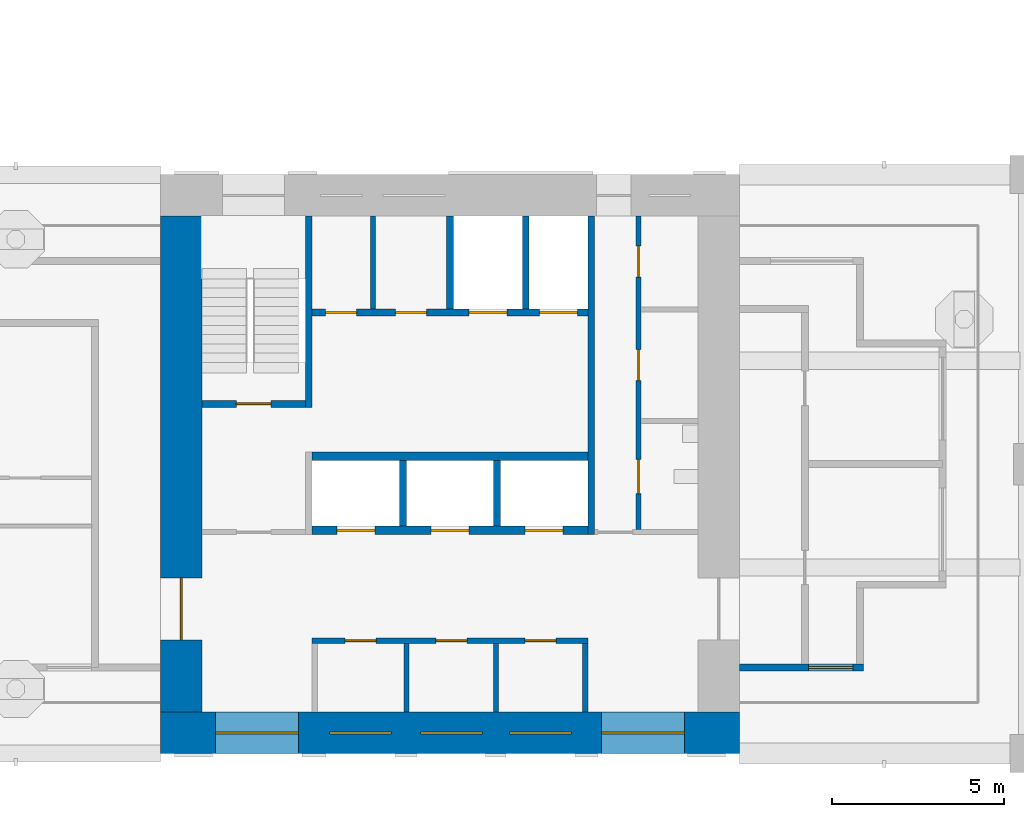
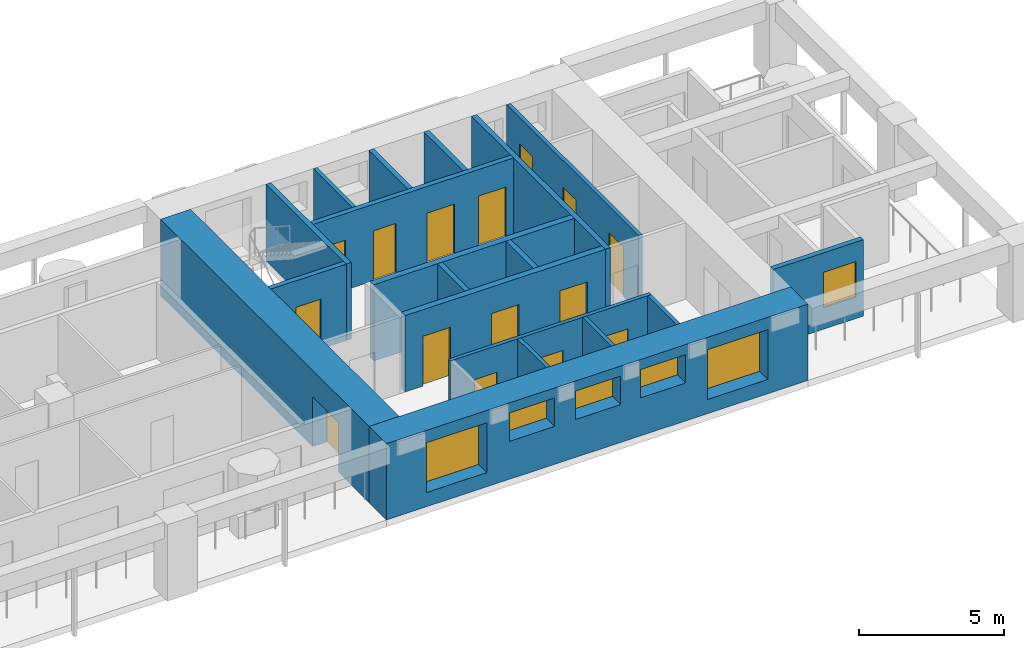
# One storey, part 4 of 13: 19 walls, 15 doors, 6 windows, 21 openings.
"""IFC4 building model written with IfcOpenShell, lengths in metres."""

from ifc_helpers import new_model, si_unit, direction, frame, frame_2d, origin, place, context, subcontext, project, spatial, rectangle, extrude, material, layer, layer_set, type_object, element, fill, save


model = new_model("IFC4")

# Units and contexts
model_context = context("Model", 3, precision=1e-05, world=origin(), true_north=direction((0.0, 1.0)))
body_context = subcontext(model_context, "Body", "Model", "MODEL_VIEW")
ifc_project = project(units=[si_unit("LENGTHUNIT", "METRE"), si_unit("AREAUNIT", "SQUARE_METRE"), si_unit("VOLUMEUNIT", "CUBIC_METRE"), si_unit("PLANEANGLEUNIT", "RADIAN"), si_unit("MASSUNIT", "GRAM", prefix="KILO")], contexts=[model_context])

# Site, building, storey
site_placement = place(None, origin())
site = spatial("IfcSite", under=ifc_project, at=site_placement, CompositionType="ELEMENT")
building_placement = place(site_placement, origin())
building = spatial("IfcBuilding", under=site, at=building_placement, Name="Vermilion Gate Residences", CompositionType="ELEMENT")
storey_placement = place(building_placement, frame((0.0, 0.0, 196.699951171875)))
storey = spatial("IfcBuildingStorey", under=building, at=storey_placement, Name="L51", CompositionType="ELEMENT", Elevation=196.699951171875)

# Walls
ifc_material_1 = material(Name="Masonry blockwork", Category="masonry")
ifc_layer_1 = layer(ifc_material_1, 0.14990234375)
ifc_layer_set_1 = layer_set([ifc_layer_1], Name="BLOCKWORK PARTITION 150 EI 120")
wall_type_1 = type_object("IfcWallType", Name="BLOCKWORK PARTITION 150 EI 120", PredefinedType="PARTITIONING", material=ifc_layer_set_1)
for number, where, z_axis, x_axis, name in (
    (1, (54.324951171875, 9.60009765625, 0.0), (0.0, 0.0, 1.0), (0.0, 1.0, 0.0), "Core room partition A51-RW-E"),
    (2, (49.14111328125, 9.60009765625, 0.0), (0.0, 0.0, 1.0), (0.0, 1.0, 0.0), "Core room partition A51-SR-P0"),
    (3, (51.73291015625, 9.60009765625, 0.0), (0.0, 0.0, 1.0), (0.0, 1.0, 0.0), "Core room partition A51-SR-P1"),
):
    element("IfcWall", number, at=place(storey_placement, frame(where, z_axis=z_axis, x_axis=x_axis)), inside=storey, type_object=wall_type_1, Name=name, PredefinedType="PARTITIONING", context=body_context, shape_type="SweptSolid", body=[
        extrude(rectangle(XDim=2.0, YDim=0.14990234375, at=frame_2d((1.0, 0.0))), origin(), (0.0, 0.0, 1.0), 3.219970703125),
    ])

# Wall, openings, doors
wall_1_placement = place(storey_placement, frame((46.39990234375, 11.675048828125, 0.0), z_axis=(0.0, 0.0, 1.0), x_axis=(1.0, 0.0, 0.0)))
wall_1 = element("IfcWall", 4, at=wall_1_placement, inside=storey, type_object=wall_type_1, Name="Core room partition A51-LR-F", PredefinedType="PARTITIONING", context=body_context, shape_type="SweptSolid", body=[
    extrude(rectangle(XDim=8.0, YDim=0.14990234375, at=frame_2d((4.0, 0.0))), origin(), (0.0, 0.0, 1.0), 3.219970703125),
])
opening_1_placement = place(wall_1_placement, frame((0.9580078125, 0.0, 0.0)))
opening_1 = element("IfcOpeningElement", 5, at=opening_1_placement, cuts=wall_1, Name="Opening DK51003", PredefinedType="OPENING", context=body_context, shape_type="SweptSolid", body=[
    extrude(rectangle(XDim=0.89990234375, YDim=2.10009765625, at=frame_2d((0.449951171875, 1.050048828125))), frame((0.0, 0.0849609375, 0.0), z_axis=(0.0, -1.0, 0.0), x_axis=(1.0, 0.0, 0.0)), (0.0, 0.0, 1.0), 0.169921875),
])
opening_2_placement = place(wall_1_placement, frame((3.5869140625, 0.0, 0.0)))
opening_2 = element("IfcOpeningElement", 6, at=opening_2_placement, cuts=wall_1, Name="Opening DK51004", PredefinedType="OPENING", context=body_context, shape_type="SweptSolid", body=[
    extrude(rectangle(XDim=0.89990234375, YDim=2.10009765625, at=frame_2d((0.449951171875, 1.050048828125))), frame((0.0, 0.0849609375, 0.0), z_axis=(0.0, -1.0, 0.0), x_axis=(1.0, 0.0, 0.0)), (0.0, 0.0, 1.0), 0.169921875),
])
opening_3_placement = place(wall_1_placement, frame((6.178955078125, 0.0, 0.0)))
opening_3 = element("IfcOpeningElement", 7, at=opening_3_placement, cuts=wall_1, Name="Opening DK51005", PredefinedType="OPENING", context=body_context, shape_type="SweptSolid", body=[
    extrude(rectangle(XDim=0.89990234375, YDim=2.10009765625, at=frame_2d((0.449951171875, 1.050048828125))), frame((0.0, 0.0849609375, 0.0), z_axis=(0.0, -1.0, 0.0), x_axis=(1.0, 0.0, 0.0)), (0.0, 0.0, 1.0), 0.169921875),
])
ifc_material_2 = material(Name="Steel", Category="steel")
door_type_1 = type_object("IfcDoorType", Name="SERVICE ROOM DOOR FD60 900 X 2100", OperationType="SINGLE_SWING_LEFT", PredefinedType="DOOR", material=ifc_material_2)
door_1_placement = place(opening_1_placement, origin())
door_1 = element("IfcDoor", 8, at=door_1_placement, inside=storey, type_object=door_type_1, Name="Electrical room A51", OperationType="SINGLE_SWING_LEFT", OverallHeight=2.10009765625, OverallWidth=0.89990234375, PredefinedType="DOOR", context=body_context, shape_type="SweptSolid", body=[
    extrude(rectangle(XDim=0.89990234375, YDim=2.10009765625, at=frame_2d((0.449951171875, 1.050048828125))), frame((0.0, 0.02490234375, 0.0), z_axis=(0.0, -1.0, 0.0), x_axis=(1.0, 0.0, 0.0)), (0.0, 0.0, 1.0), 0.050048828125),
])
fill(opening_1, door_1)
door_2_placement = place(opening_2_placement, frame((0.89990234375, 0.0, 0.0), z_axis=(0.0, 0.0, 1.0), x_axis=(-1.0, 0.0, 0.0)))
door_2 = element("IfcDoor", 9, at=door_2_placement, inside=storey, type_object=door_type_1, Name="Communications room A51", OperationType="SINGLE_SWING_LEFT", OverallHeight=2.10009765625, OverallWidth=0.89990234375, PredefinedType="DOOR", context=body_context, shape_type="SweptSolid", body=[
    extrude(rectangle(XDim=0.89990234375, YDim=2.10009765625, at=frame_2d((0.449951171875, 1.050048828125))), frame((0.0, 0.02490234375, 0.0), z_axis=(0.0, -1.0, 0.0), x_axis=(1.0, 0.0, 0.0)), (0.0, 0.0, 1.0), 0.050048828125),
])
fill(opening_2, door_2)
door_3_placement = place(opening_3_placement, frame((0.89990234375, 0.0, 0.0), z_axis=(0.0, 0.0, 1.0), x_axis=(-1.0, 0.0, 0.0)))
door_3 = element("IfcDoor", 10, at=door_3_placement, inside=storey, type_object=door_type_1, Name="Refuse room A51", OperationType="SINGLE_SWING_RIGHT", OverallHeight=2.10009765625, OverallWidth=0.89990234375, PredefinedType="DOOR", context=body_context, shape_type="SweptSolid", body=[
    extrude(rectangle(XDim=0.89990234375, YDim=2.10009765625, at=frame_2d((0.449951171875, 1.050048828125))), frame((0.0, 0.02490234375, 0.0), z_axis=(0.0, -1.0, 0.0), x_axis=(1.0, 0.0, 0.0)), (0.0, 0.0, 1.0), 0.050048828125),
])
fill(opening_3, door_3)

# Wall
wall_2_placement = place(storey_placement, frame((48.16259765625, 21.300048828125, 0.0), z_axis=(0.0, 0.0, 1.0), x_axis=(0.0, 1.0, 0.0)))
element("IfcWall", 11, at=wall_2_placement, inside=storey, type_object=wall_type_1, Name="Core room partition A51-NR-P0", PredefinedType="PARTITIONING", context=body_context, shape_type="SweptSolid", body=[
    extrude(rectangle(XDim=2.699951171875, YDim=0.14990234375, at=frame_2d((1.35009765625, 0.0))), origin(), (0.0, 0.0, 1.0), 3.219970703125),
])

# Wall, openings, doors
wall_3_placement = place(storey_placement, frame((55.875, 14.89990234375, 0.0), z_axis=(0.0, 0.0, 1.0), x_axis=(0.0, 1.0, 0.0)))
wall_3 = element("IfcWall", 12, at=wall_3_placement, inside=storey, type_object=wall_type_1, Name="Core room partition A51-ES-W", PredefinedType="PARTITIONING", context=body_context, shape_type="SweptSolid", body=[
    extrude(rectangle(XDim=9.10009765625, YDim=0.14990234375, at=frame_2d((4.550048828125, 0.0))), origin(), (0.0, 0.0, 1.0), 3.219970703125),
])
opening_4_placement = place(wall_3_placement, frame((1.0400390625, 0.0, 0.0)))
opening_4 = element("IfcOpeningElement", 13, at=opening_4_placement, cuts=wall_3, Name="Opening DK51016", PredefinedType="OPENING", context=body_context, shape_type="SweptSolid", body=[
    extrude(rectangle(XDim=1.0, YDim=2.10009765625, at=frame_2d((0.5, 1.050048828125))), frame((0.0, 0.0849609375, 0.0), z_axis=(0.0, -1.0, 0.0), x_axis=(1.0, 0.0, 0.0)), (0.0, 0.0, 1.0), 0.169921875),
])
opening_5_placement = place(wall_3_placement, frame((4.320068359375, 0.0, 0.0)))
opening_5 = element("IfcOpeningElement", 14, at=opening_5_placement, cuts=wall_3, Name="Opening DK51017", PredefinedType="OPENING", context=body_context, shape_type="SweptSolid", body=[
    extrude(rectangle(XDim=0.89990234375, YDim=2.10009765625, at=frame_2d((0.449951171875, 1.050048828125))), frame((0.0, 0.0849609375, 0.0), z_axis=(0.0, -1.0, 0.0), x_axis=(1.0, 0.0, 0.0)), (0.0, 0.0, 1.0), 0.169921875),
])
opening_6_placement = place(wall_3_placement, frame((7.330078125, 0.0, 0.0)))
opening_6 = element("IfcOpeningElement", 15, at=opening_6_placement, cuts=wall_3, Name="Opening DK51018", PredefinedType="OPENING", context=body_context, shape_type="SweptSolid", body=[
    extrude(rectangle(XDim=0.89990234375, YDim=2.10009765625, at=frame_2d((0.449951171875, 1.050048828125))), frame((0.0, 0.0849609375, 0.0), z_axis=(0.0, -1.0, 0.0), x_axis=(1.0, 0.0, 0.0)), (0.0, 0.0, 1.0), 0.169921875),
])
ifc_material_3 = material(Name="Steel", Category="steel")
door_type_2 = type_object("IfcDoorType", Name="FIRE DOOR FD60 1000 X 2100", OperationType="SINGLE_SWING_LEFT", PredefinedType="DOOR", material=ifc_material_3)
door_4_placement = place(opening_4_placement, frame((1.0, 0.0, 0.0), z_axis=(0.0, 0.0, 1.0), x_axis=(-1.0, 0.0, 0.0)))
door_4 = element("IfcDoor", 16, at=door_4_placement, inside=storey, type_object=door_type_2, Name="Accessible WC A51", OperationType="SINGLE_SWING_LEFT", OverallHeight=2.10009765625, OverallWidth=1.0, PredefinedType="DOOR", context=body_context, shape_type="SweptSolid", body=[
    extrude(rectangle(XDim=1.0, YDim=2.10009765625, at=frame_2d((0.5, 1.050048828125))), frame((0.0, 0.02490234375, 0.0), z_axis=(0.0, -1.0, 0.0), x_axis=(1.0, 0.0, 0.0)), (0.0, 0.0, 1.0), 0.050048828125),
])
fill(opening_4, door_4)
door_5_placement = place(opening_5_placement, frame((0.89990234375, 0.0, 0.0), z_axis=(0.0, 0.0, 1.0), x_axis=(-1.0, 0.0, 0.0)))
door_5 = element("IfcDoor", 17, at=door_5_placement, inside=storey, type_object=door_type_1, Name="Refuse room A51", OperationType="SINGLE_SWING_RIGHT", OverallHeight=2.10009765625, OverallWidth=0.89990234375, PredefinedType="DOOR", context=body_context, shape_type="SweptSolid", body=[
    extrude(rectangle(XDim=0.89990234375, YDim=2.10009765625, at=frame_2d((0.449951171875, 1.050048828125))), frame((0.0, 0.02490234375, 0.0), z_axis=(0.0, -1.0, 0.0), x_axis=(1.0, 0.0, 0.0)), (0.0, 0.0, 1.0), 0.050048828125),
])
fill(opening_5, door_5)
door_6_placement = place(opening_6_placement, frame((0.89990234375, 0.0, 0.0), z_axis=(0.0, 0.0, 1.0), x_axis=(-1.0, 0.0, 0.0)))
door_6 = element("IfcDoor", 18, at=door_6_placement, inside=storey, type_object=door_type_1, Name="Parcel room A51", OperationType="SINGLE_SWING_LEFT", OverallHeight=2.10009765625, OverallWidth=0.89990234375, PredefinedType="DOOR", context=body_context, shape_type="SweptSolid", body=[
    extrude(rectangle(XDim=0.89990234375, YDim=2.10009765625, at=frame_2d((0.449951171875, 1.050048828125))), frame((0.0, 0.02490234375, 0.0), z_axis=(0.0, -1.0, 0.0), x_axis=(1.0, 0.0, 0.0)), (0.0, 0.0, 1.0), 0.050048828125),
])
fill(opening_6, door_6)

# Wall, opening, window
ifc_material_4 = material(Name="Insulated steel stud wall with terracotta rainscreen", Category="masonry")
ifc_layer_2 = layer(ifc_material_4, 0.199951171875)
ifc_layer_set_2 = layer_set([ifc_layer_2], Name="EXTERNAL WALL 200 TERRACOTTA RAINSCREEN")
wall_type_2 = type_object("IfcWallType", Name="EXTERNAL WALL 200 TERRACOTTA RAINSCREEN", PredefinedType="SOLIDWALL", material=ifc_layer_set_2)
wall_4_placement = place(storey_placement, frame((58.800048828125, 10.89990234375, 0.0), z_axis=(0.0, 0.0, 1.0), x_axis=(1.0, 0.0, 0.0)))
wall_4 = element("IfcWall", 19, at=wall_4_placement, inside=storey, type_object=wall_type_2, Name="External wall", PredefinedType="SOLIDWALL", context=body_context, shape_type="SweptSolid", body=[
    extrude(rectangle(XDim=3.599853515625, YDim=0.199951171875, at=frame_2d((1.7998046875, 0.0))), origin(), (0.0, 0.0, 1.0), 3.219970703125),
])
opening_7_placement = place(wall_4_placement, frame((2.0, 0.0, 0.89990234375)))
opening_7 = element("IfcOpeningElement", 20, at=opening_7_placement, cuts=wall_4, Name="Opening WE51015", PredefinedType="OPENING", context=body_context, shape_type="SweptSolid", body=[
    extrude(rectangle(XDim=1.300048828125, YDim=1.5, at=frame_2d((0.64990234375, 0.75))), frame((0.0, 0.10986328125, 0.0), z_axis=(0.0, -1.0, 0.0), x_axis=(1.0, 0.0, 0.0)), (0.0, 0.0, 1.0), 0.219970703125),
])
ifc_material_5 = material(Name="Aluminium and clear glass", Category="aluminium")
window_type_1 = type_object("IfcWindowType", Name="WINDOW 1300 X 1500", PartitioningType="SINGLE_PANEL", PredefinedType="WINDOW", material=ifc_material_5)
window_1_placement = place(opening_7_placement, origin())
window_1 = element("IfcWindow", 21, at=window_1_placement, inside=storey, type_object=window_type_1, Name="Window", OverallHeight=1.5, OverallWidth=1.300048828125, PartitioningType="SINGLE_PANEL", PredefinedType="WINDOW", context=body_context, shape_type="SweptSolid", body=[
    extrude(rectangle(XDim=1.300048828125, YDim=1.5, at=frame_2d((0.64990234375, 0.75))), frame((0.0, 0.030029296875, 0.0), z_axis=(0.0, -1.0, 0.0), x_axis=(1.0, 0.0, 0.0)), (0.0, 0.0, 1.0), 0.06005859375),
])
fill(opening_7, window_1)

# Walls
ifc_material_6 = material(Name="Concrete C60", Category="concrete")
ifc_layer_3 = layer(ifc_material_6, 0.199951171875)
ifc_layer_set_3 = layer_set([ifc_layer_3], Name="RC CORE INTERNAL WALL 200 C60")
wall_type_3 = type_object("IfcWallType", Name="RC CORE INTERNAL WALL 200 C60", PredefinedType="SHEAR", material=ifc_layer_set_3)
for number, where, z_axis, x_axis, name in (
    (22, (49.033447265625, 15.0, 0.0), (0.0, 0.0, 1.0), (0.0, 1.0, 0.0), "Core internal wall A51-HR-D1"),
    (23, (51.7666015625, 15.0, 0.0), (0.0, 0.0, 1.0), (0.0, 1.0, 0.0), "Core internal wall A51-HR-D2"),
):
    element("IfcWall", number, at=place(storey_placement, frame(where, z_axis=z_axis, x_axis=x_axis)), inside=storey, type_object=wall_type_3, Name=name, PredefinedType="SHEAR", context=body_context, shape_type="SweptSolid", body=[
        extrude(rectangle(XDim=1.89990234375, YDim=0.199951171875, at=frame_2d((0.949951171875, 0.0))), origin(), (0.0, 0.0, 1.0), 3.219970703125),
    ])
for number, where, z_axis, x_axis, name in (
    (24, (50.39990234375, 21.300048828125, 0.0), (0.0, 0.0, 1.0), (0.0, 1.0, 0.0), "Core internal wall A51-FF-D0"),
    (25, (52.60009765625, 21.300048828125, 0.0), (0.0, 0.0, 1.0), (0.0, 1.0, 0.0), "Core internal wall A51-FF-D1"),
):
    element("IfcWall", number, at=place(storey_placement, frame(where, z_axis=z_axis, x_axis=x_axis)), inside=storey, type_object=wall_type_3, Name=name, PredefinedType="SHEAR", context=body_context, shape_type="SweptSolid", body=[
        extrude(rectangle(XDim=2.699951171875, YDim=0.199951171875, at=frame_2d((1.35009765625, 0.0))), origin(), (0.0, 0.0, 1.0), 3.219970703125),
    ])

# Wall, openings, doors
wall_5_placement = place(storey_placement, frame((46.39990234375, 21.199951171875, 0.0), z_axis=(0.0, 0.0, 1.0), x_axis=(1.0, 0.0, 0.0)))
wall_5 = element("IfcWall", 26, at=wall_5_placement, inside=storey, type_object=wall_type_3, Name="Core internal wall A51-FF-F", PredefinedType="SHEAR", context=body_context, shape_type="SweptSolid", body=[
    extrude(rectangle(XDim=8.0, YDim=0.199951171875, at=frame_2d((4.0, 0.0))), origin(), (0.0, 0.0, 1.0), 3.219970703125),
])
opening_8_placement = place(wall_5_placement, frame((0.393798828125, 0.0, 0.0)))
opening_8 = element("IfcOpeningElement", 27, at=opening_8_placement, cuts=wall_5, Name="Opening DK51009", PredefinedType="OPENING", context=body_context, shape_type="SweptSolid", body=[
    extrude(rectangle(XDim=0.89990234375, YDim=2.10009765625, at=frame_2d((0.449951171875, 1.050048828125))), frame((0.0, 0.10986328125, 0.0), z_axis=(0.0, -1.0, 0.0), x_axis=(1.0, 0.0, 0.0)), (0.0, 0.0, 1.0), 0.219970703125),
])
opening_9_placement = place(wall_5_placement, frame((2.418701171875, 0.0, 0.0)))
opening_9 = element("IfcOpeningElement", 28, at=opening_9_placement, cuts=wall_5, Name="Opening DK51010", PredefinedType="OPENING", context=body_context, shape_type="SweptSolid", body=[
    extrude(rectangle(XDim=0.89990234375, YDim=2.10009765625, at=frame_2d((0.449951171875, 1.050048828125))), frame((0.0, 0.10986328125, 0.0), z_axis=(0.0, -1.0, 0.0), x_axis=(1.0, 0.0, 0.0)), (0.0, 0.0, 1.0), 0.219970703125),
])
opening_10_placement = place(wall_5_placement, frame((4.550048828125, 0.0, 0.0)))
opening_10 = element("IfcOpeningElement", 29, at=opening_10_placement, cuts=wall_5, Name="Opening LD", PredefinedType="OPENING", context=body_context, shape_type="SweptSolid", body=[
    extrude(rectangle(XDim=1.10009765625, YDim=2.10009765625, at=frame_2d((0.550048828125, 1.050048828125))), frame((0.0, 0.10986328125, 0.0), z_axis=(0.0, -1.0, 0.0), x_axis=(1.0, 0.0, 0.0)), (0.0, 0.0, 1.0), 0.219970703125),
])
opening_11_placement = place(wall_5_placement, frame((6.60009765625, 0.0, 0.0)))
opening_11 = element("IfcOpeningElement", 30, at=opening_11_placement, cuts=wall_5, Name="Opening LD", PredefinedType="OPENING", context=body_context, shape_type="SweptSolid", body=[
    extrude(rectangle(XDim=1.10009765625, YDim=2.10009765625, at=frame_2d((0.550048828125, 1.050048828125))), frame((0.0, 0.10986328125, 0.0), z_axis=(0.0, -1.0, 0.0), x_axis=(1.0, 0.0, 0.0)), (0.0, 0.0, 1.0), 0.219970703125),
])
ifc_material_7 = material(Name="Stainless steel", Category="steel")
door_type_3 = type_object("IfcDoorType", Name="LIFT LANDING DOOR E60 1100 X 2100", OperationType="DOUBLE_DOOR_SLIDING", PredefinedType="DOOR", material=ifc_material_7)
door_7_placement = place(opening_10_placement, origin())
door_7 = element("IfcDoor", 31, at=door_7_placement, inside=storey, type_object=door_type_3, Name="Lift landing door LFA1", OperationType="DOUBLE_DOOR_SLIDING", OverallHeight=2.10009765625, OverallWidth=1.10009765625, PredefinedType="DOOR", context=body_context, shape_type="SweptSolid", body=[
    extrude(rectangle(XDim=1.10009765625, YDim=2.10009765625, at=frame_2d((0.550048828125, 1.050048828125))), frame((0.0, 0.02490234375, 0.0), z_axis=(0.0, -1.0, 0.0), x_axis=(1.0, 0.0, 0.0)), (0.0, 0.0, 1.0), 0.050048828125),
])
fill(opening_10, door_7)
door_8_placement = place(opening_11_placement, origin())
door_8 = element("IfcDoor", 32, at=door_8_placement, inside=storey, type_object=door_type_3, Name="Lift landing door LCA1", OperationType="DOUBLE_DOOR_SLIDING", OverallHeight=2.10009765625, OverallWidth=1.10009765625, PredefinedType="DOOR", context=body_context, shape_type="SweptSolid", body=[
    extrude(rectangle(XDim=1.10009765625, YDim=2.10009765625, at=frame_2d((0.550048828125, 1.050048828125))), frame((0.0, 0.02490234375, 0.0), z_axis=(0.0, -1.0, 0.0), x_axis=(1.0, 0.0, 0.0)), (0.0, 0.0, 1.0), 0.050048828125),
])
fill(opening_11, door_8)
door_9_placement = place(opening_8_placement, origin())
door_9 = element("IfcDoor", 33, at=door_9_placement, inside=storey, type_object=door_type_1, Name="Electrical riser A51", OperationType="SINGLE_SWING_LEFT", OverallHeight=2.10009765625, OverallWidth=0.89990234375, PredefinedType="DOOR", context=body_context, shape_type="SweptSolid", body=[
    extrude(rectangle(XDim=0.89990234375, YDim=2.10009765625, at=frame_2d((0.449951171875, 1.050048828125))), frame((0.0, 0.02490234375, 0.0), z_axis=(0.0, -1.0, 0.0), x_axis=(1.0, 0.0, 0.0)), (0.0, 0.0, 1.0), 0.050048828125),
])
fill(opening_8, door_9)
door_10_placement = place(opening_9_placement, origin())
door_10 = element("IfcDoor", 34, at=door_10_placement, inside=storey, type_object=door_type_1, Name="Cleaner's store A51", OperationType="SINGLE_SWING_LEFT", OverallHeight=2.10009765625, OverallWidth=0.89990234375, PredefinedType="DOOR", context=body_context, shape_type="SweptSolid", body=[
    extrude(rectangle(XDim=0.89990234375, YDim=2.10009765625, at=frame_2d((0.449951171875, 1.050048828125))), frame((0.0, 0.02490234375, 0.0), z_axis=(0.0, -1.0, 0.0), x_axis=(1.0, 0.0, 0.0)), (0.0, 0.0, 1.0), 0.050048828125),
])
fill(opening_9, door_10)

# Wall
wall_6_placement = place(storey_placement, frame((46.300048828125, 18.449951171875, 0.0), z_axis=(0.0, 0.0, 1.0), x_axis=(0.0, 1.0, 0.0)))
element("IfcWall", 35, at=wall_6_placement, inside=storey, type_object=wall_type_3, Name="Core internal wall A51-WDIV2", PredefinedType="SHEAR", context=body_context, shape_type="SweptSolid", body=[
    extrude(rectangle(XDim=5.550048828125, YDim=0.199951171875, at=frame_2d((2.77490234375, 0.0))), origin(), (0.0, 0.0, 1.0), 3.219970703125),
])

# Wall, opening, door
wall_7_placement = place(storey_placement, frame((43.199951171875, 18.550048828125, 0.0), z_axis=(0.0, 0.0, 1.0), x_axis=(1.0, 0.0, 0.0)))
wall_7 = element("IfcWall", 36, at=wall_7_placement, inside=storey, type_object=wall_type_3, Name="Core internal wall A51-STW-S", PredefinedType="SHEAR", context=body_context, shape_type="SweptSolid", body=[
    extrude(rectangle(XDim=3.0, YDim=0.199951171875, at=frame_2d((1.5, 0.0))), origin(), (0.0, 0.0, 1.0), 3.219970703125),
])
opening_12_placement = place(wall_7_placement, frame((1.0, 0.0, 0.0)))
opening_12 = element("IfcOpeningElement", 37, at=opening_12_placement, cuts=wall_7, Name="Opening DK51014", PredefinedType="OPENING", context=body_context, shape_type="SweptSolid", body=[
    extrude(rectangle(XDim=1.0, YDim=2.10009765625, at=frame_2d((0.5, 1.050048828125))), frame((0.0, 0.10986328125, 0.0), z_axis=(0.0, -1.0, 0.0), x_axis=(1.0, 0.0, 0.0)), (0.0, 0.0, 1.0), 0.219970703125),
])
door_11_placement = place(opening_12_placement, origin())
door_11 = element("IfcDoor", 38, at=door_11_placement, inside=storey, type_object=door_type_2, Name="Stair door A51", OperationType="SINGLE_SWING_LEFT", OverallHeight=2.10009765625, OverallWidth=1.0, PredefinedType="DOOR", context=body_context, shape_type="SweptSolid", body=[
    extrude(rectangle(XDim=1.0, YDim=2.10009765625, at=frame_2d((0.5, 1.050048828125))), frame((0.0, 0.02490234375, 0.0), z_axis=(0.0, -1.0, 0.0), x_axis=(1.0, 0.0, 0.0)), (0.0, 0.0, 1.0), 0.050048828125),
])
fill(opening_12, door_11)

# Wall
wall_8_placement = place(storey_placement, frame((54.5, 14.75, 0.0), z_axis=(0.0, 0.0, 1.0), x_axis=(0.0, 1.0, 0.0)))
element("IfcWall", 39, at=wall_8_placement, inside=storey, type_object=wall_type_3, Name="Core internal wall A51-EDIV", PredefinedType="SHEAR", context=body_context, shape_type="SweptSolid", body=[
    extrude(rectangle(XDim=9.25, YDim=0.199951171875, at=frame_2d((4.625, 0.0))), origin(), (0.0, 0.0, 1.0), 3.219970703125),
])

# Wall, opening, door
ifc_material_8 = material(Name="Concrete C60", Category="concrete")
ifc_layer_4 = layer(ifc_material_8, 1.199951171875)
ifc_layer_set_4 = layer_set([ifc_layer_4], Name="RC CORE WALL 1200 C60")
wall_type_4 = type_object("IfcWallType", Name="RC CORE WALL 1200 C60", PredefinedType="SHEAR", material=ifc_layer_set_4)
wall_9_placement = place(storey_placement, frame((42.60009765625, 9.60009765625, 0.0), z_axis=(0.0, 0.0, 1.0), x_axis=(0.0, 1.0, 0.0)))
wall_9 = element("IfcWall", 40, at=wall_9_placement, inside=storey, type_object=wall_type_4, Name="Core wall A51-OUT-FR", PredefinedType="SHEAR", context=body_context, shape_type="SweptSolid", body=[
    extrude(rectangle(XDim=14.39990234375, YDim=1.199951171875, at=frame_2d((7.199951171875, 0.0))), origin(), (0.0, 0.0, 1.0), 3.219970703125),
])
opening_13_placement = place(wall_9_placement, frame((2.10009765625, 0.0, 0.0)))
opening_13 = element("IfcOpeningElement", 41, at=opening_13_placement, cuts=wall_9, Name="Opening DK51001", PredefinedType="OPENING", context=body_context, shape_type="SweptSolid", body=[
    extrude(rectangle(XDim=1.800048828125, YDim=2.10009765625, at=frame_2d((0.89990234375, 1.050048828125))), frame((0.0, 0.60986328125, 0.0), z_axis=(0.0, -1.0, 0.0), x_axis=(1.0, 0.0, 0.0)), (0.0, 0.0, 1.0), 1.219970703125),
])
ifc_material_9 = material(Name="Steel", Category="steel")
door_type_4 = type_object("IfcDoorType", Name="CORE LOBBY DOOR FD60 1800 X 2100", OperationType="DOUBLE_DOOR_SINGLE_SWING", PredefinedType="DOOR", material=ifc_material_9)
door_12_placement = place(opening_13_placement, frame((1.800048828125, 0.0, 0.0), z_axis=(0.0, 0.0, 1.0), x_axis=(-1.0, 0.0, 0.0)))
door_12 = element("IfcDoor", 42, at=door_12_placement, inside=storey, type_object=door_type_4, Name="Core lobby door A51", OperationType="DOUBLE_DOOR_SINGLE_SWING", OverallHeight=2.10009765625, OverallWidth=1.800048828125, PredefinedType="DOOR", context=body_context, shape_type="SweptSolid", body=[
    extrude(rectangle(XDim=1.800048828125, YDim=2.10009765625, at=frame_2d((0.89990234375, 1.050048828125))), frame((0.0, 0.02490234375, 0.0), z_axis=(0.0, -1.0, 0.0), x_axis=(1.0, 0.0, 0.0)), (0.0, 0.0, 1.0), 0.050048828125),
])
fill(opening_13, door_12)

# Wall, openings, windows
ifc_material_10 = material(Name="Concrete C60 red-oxide pigmented", Category="concrete")
ifc_layer_5 = layer(ifc_material_10, 1.199951171875)
ifc_layer_set_5 = layer_set([ifc_layer_5], Name="RC CORE WALL 1200 C60 RED OXIDE")
wall_type_5 = type_object("IfcWallType", Name="RC CORE WALL 1200 C60 RED OXIDE", PredefinedType="SHEAR", material=ifc_layer_set_5)
wall_10_placement = place(storey_placement, frame((42.0, 9.0, 0.0), z_axis=(0.0, 0.0, 1.0), x_axis=(1.0, 0.0, 0.0)))
wall_10 = element("IfcWall", 43, at=wall_10_placement, inside=storey, type_object=wall_type_5, Name="Core wall A51-OUT-B0", PredefinedType="SHEAR", context=body_context, shape_type="SweptSolid", body=[
    extrude(rectangle(XDim=16.800048828125, YDim=1.199951171875, at=frame_2d((8.39990234375, 0.0))), origin(), (0.0, 0.0, 1.0), 3.219970703125),
])
opening_14_placement = place(wall_10_placement, frame((1.60009765625, 0.0, 0.60009765625)))
opening_14 = element("IfcOpeningElement", 44, at=opening_14_placement, cuts=wall_10, Name="Opening WKA5101", PredefinedType="OPENING", context=body_context, shape_type="SweptSolid", body=[
    extrude(rectangle(XDim=2.39990234375, YDim=2.10009765625, at=frame_2d((1.199951171875, 1.050048828125))), frame((0.0, 0.60986328125, 0.0), z_axis=(0.0, -1.0, 0.0), x_axis=(1.0, 0.0, 0.0)), (0.0, 0.0, 1.0), 1.219970703125),
])
opening_15_placement = place(wall_10_placement, frame((4.907958984375, 0.0, 1.60009765625)))
opening_15 = element("IfcOpeningElement", 45, at=opening_15_placement, cuts=wall_10, Name="Opening WKA5102", PredefinedType="OPENING", context=body_context, shape_type="SweptSolid", body=[
    extrude(rectangle(XDim=1.800048828125, YDim=1.199951171875, at=frame_2d((0.89990234375, 0.60009765625))), frame((0.0, 0.60986328125, 0.0), z_axis=(0.0, -1.0, 0.0), x_axis=(1.0, 0.0, 0.0)), (0.0, 0.0, 1.0), 1.219970703125),
])
opening_16_placement = place(wall_10_placement, frame((7.537109375, 0.0, 1.60009765625)))
opening_16 = element("IfcOpeningElement", 46, at=opening_16_placement, cuts=wall_10, Name="Opening WKA5103", PredefinedType="OPENING", context=body_context, shape_type="SweptSolid", body=[
    extrude(rectangle(XDim=1.800048828125, YDim=1.199951171875, at=frame_2d((0.89990234375, 0.60009765625))), frame((0.0, 0.60986328125, 0.0), z_axis=(0.0, -1.0, 0.0), x_axis=(1.0, 0.0, 0.0)), (0.0, 0.0, 1.0), 1.219970703125),
])
opening_17_placement = place(wall_10_placement, frame((10.12890625, 0.0, 1.60009765625)))
opening_17 = element("IfcOpeningElement", 47, at=opening_17_placement, cuts=wall_10, Name="Opening WKA5104", PredefinedType="OPENING", context=body_context, shape_type="SweptSolid", body=[
    extrude(rectangle(XDim=1.800048828125, YDim=1.199951171875, at=frame_2d((0.89990234375, 0.60009765625))), frame((0.0, 0.60986328125, 0.0), z_axis=(0.0, -1.0, 0.0), x_axis=(1.0, 0.0, 0.0)), (0.0, 0.0, 1.0), 1.219970703125),
])
opening_18_placement = place(wall_10_placement, frame((12.800048828125, 0.0, 0.60009765625)))
opening_18 = element("IfcOpeningElement", 48, at=opening_18_placement, cuts=wall_10, Name="Opening WKA5105", PredefinedType="OPENING", context=body_context, shape_type="SweptSolid", body=[
    extrude(rectangle(XDim=2.39990234375, YDim=2.10009765625, at=frame_2d((1.199951171875, 1.050048828125))), frame((0.0, 0.60986328125, 0.0), z_axis=(0.0, -1.0, 0.0), x_axis=(1.0, 0.0, 0.0)), (0.0, 0.0, 1.0), 1.219970703125),
])
ifc_material_11 = material(Name="Aluminium and clear glass", Category="aluminium")
window_type_2 = type_object("IfcWindowType", Name="CORE LOBBY WINDOW 2400 X 2100", PartitioningType="SINGLE_PANEL", PredefinedType="WINDOW", material=ifc_material_11)
window_2_placement = place(opening_14_placement, origin())
window_2 = element("IfcWindow", 49, at=window_2_placement, inside=storey, type_object=window_type_2, Name="Core lobby window", OverallHeight=2.10009765625, OverallWidth=2.39990234375, PartitioningType="SINGLE_PANEL", PredefinedType="WINDOW", context=body_context, shape_type="SweptSolid", body=[
    extrude(rectangle(XDim=2.39990234375, YDim=2.10009765625, at=frame_2d((1.199951171875, 1.050048828125))), frame((0.0, 0.030029296875, 0.0), z_axis=(0.0, -1.0, 0.0), x_axis=(1.0, 0.0, 0.0)), (0.0, 0.0, 1.0), 0.06005859375),
])
fill(opening_14, window_2)
window_3_placement = place(opening_18_placement, origin())
window_3 = element("IfcWindow", 50, at=window_3_placement, inside=storey, type_object=window_type_2, Name="Core lobby window", OverallHeight=2.10009765625, OverallWidth=2.39990234375, PartitioningType="SINGLE_PANEL", PredefinedType="WINDOW", context=body_context, shape_type="SweptSolid", body=[
    extrude(rectangle(XDim=2.39990234375, YDim=2.10009765625, at=frame_2d((1.199951171875, 1.050048828125))), frame((0.0, 0.030029296875, 0.0), z_axis=(0.0, -1.0, 0.0), x_axis=(1.0, 0.0, 0.0)), (0.0, 0.0, 1.0), 0.06005859375),
])
fill(opening_18, window_3)
ifc_material_12 = material(Name="Aluminium frame with louvre blades", Category="aluminium")
window_type_3 = type_object("IfcWindowType", Name="CORE LOUVRE 1800 X 1200", PartitioningType="SINGLE_PANEL", PredefinedType="WINDOW", material=ifc_material_12)
window_4_placement = place(opening_15_placement, origin())
window_4 = element("IfcWindow", 51, at=window_4_placement, inside=storey, type_object=window_type_3, Name="Core louvre", OverallHeight=1.199951171875, OverallWidth=1.800048828125, PartitioningType="SINGLE_PANEL", PredefinedType="WINDOW", context=body_context, shape_type="SweptSolid", body=[
    extrude(rectangle(XDim=1.800048828125, YDim=1.199951171875, at=frame_2d((0.89990234375, 0.60009765625))), frame((0.0, 0.030029296875, 0.0), z_axis=(0.0, -1.0, 0.0), x_axis=(1.0, 0.0, 0.0)), (0.0, 0.0, 1.0), 0.06005859375),
])
fill(opening_15, window_4)
window_5_placement = place(opening_16_placement, origin())
window_5 = element("IfcWindow", 52, at=window_5_placement, inside=storey, type_object=window_type_3, Name="Core louvre", OverallHeight=1.199951171875, OverallWidth=1.800048828125, PartitioningType="SINGLE_PANEL", PredefinedType="WINDOW", context=body_context, shape_type="SweptSolid", body=[
    extrude(rectangle(XDim=1.800048828125, YDim=1.199951171875, at=frame_2d((0.89990234375, 0.60009765625))), frame((0.0, 0.030029296875, 0.0), z_axis=(0.0, -1.0, 0.0), x_axis=(1.0, 0.0, 0.0)), (0.0, 0.0, 1.0), 0.06005859375),
])
fill(opening_16, window_5)
window_6_placement = place(opening_17_placement, origin())
window_6 = element("IfcWindow", 53, at=window_6_placement, inside=storey, type_object=window_type_3, Name="Core louvre", OverallHeight=1.199951171875, OverallWidth=1.800048828125, PartitioningType="SINGLE_PANEL", PredefinedType="WINDOW", context=body_context, shape_type="SweptSolid", body=[
    extrude(rectangle(XDim=1.800048828125, YDim=1.199951171875, at=frame_2d((0.89990234375, 0.60009765625))), frame((0.0, 0.030029296875, 0.0), z_axis=(0.0, -1.0, 0.0), x_axis=(1.0, 0.0, 0.0)), (0.0, 0.0, 1.0), 0.06005859375),
])
fill(opening_17, window_6)

# Wall, openings, doors
ifc_material_13 = material(Name="Concrete C60", Category="concrete")
ifc_layer_6 = layer(ifc_material_13, 0.25)
ifc_layer_set_6 = layer_set([ifc_layer_6], Name="RC LIFT SHAFT WALL 250 C60")
wall_type_6 = type_object("IfcWallType", Name="RC LIFT SHAFT WALL 250 C60", PredefinedType="SHEAR", material=ifc_layer_set_6)
wall_11_placement = place(storey_placement, frame((46.39990234375, 14.875, 0.0), z_axis=(0.0, 0.0, 1.0), x_axis=(1.0, 0.0, 0.0)))
wall_11 = element("IfcWall", 54, at=wall_11_placement, inside=storey, type_object=wall_type_6, Name="Lift shaft wall A51-HR-F", PredefinedType="SHEAR", context=body_context, shape_type="SweptSolid", body=[
    extrude(rectangle(XDim=8.0, YDim=0.25, at=frame_2d((4.0, 0.0))), origin(), (0.0, 0.0, 1.0), 3.219970703125),
])
opening_19_placement = place(wall_11_placement, frame((0.716552734375, 0.0, 0.0)))
opening_19 = element("IfcOpeningElement", 55, at=opening_19_placement, cuts=wall_11, Name="Opening LD", PredefinedType="OPENING", context=body_context, shape_type="SweptSolid", body=[
    extrude(rectangle(XDim=1.10009765625, YDim=2.10009765625, at=frame_2d((0.550048828125, 1.050048828125))), frame((0.0, 0.135009765625, 0.0), z_axis=(0.0, -1.0, 0.0), x_axis=(1.0, 0.0, 0.0)), (0.0, 0.0, 1.0), 0.27001953125),
])
opening_20_placement = place(wall_11_placement, frame((3.449951171875, 0.0, 0.0)))
opening_20 = element("IfcOpeningElement", 56, at=opening_20_placement, cuts=wall_11, Name="Opening LD", PredefinedType="OPENING", context=body_context, shape_type="SweptSolid", body=[
    extrude(rectangle(XDim=1.10009765625, YDim=2.10009765625, at=frame_2d((0.550048828125, 1.050048828125))), frame((0.0, 0.135009765625, 0.0), z_axis=(0.0, -1.0, 0.0), x_axis=(1.0, 0.0, 0.0)), (0.0, 0.0, 1.0), 0.27001953125),
])
opening_21_placement = place(wall_11_placement, frame((6.183349609375, 0.0, 0.0)))
opening_21 = element("IfcOpeningElement", 57, at=opening_21_placement, cuts=wall_11, Name="Opening LD", PredefinedType="OPENING", context=body_context, shape_type="SweptSolid", body=[
    extrude(rectangle(XDim=1.10009765625, YDim=2.10009765625, at=frame_2d((0.550048828125, 1.050048828125))), frame((0.0, 0.135009765625, 0.0), z_axis=(0.0, -1.0, 0.0), x_axis=(1.0, 0.0, 0.0)), (0.0, 0.0, 1.0), 0.27001953125),
])
door_13_placement = place(opening_19_placement, origin())
door_13 = element("IfcDoor", 58, at=door_13_placement, inside=storey, type_object=door_type_3, Name="Lift landing door HRA1", OperationType="DOUBLE_DOOR_SLIDING", OverallHeight=2.10009765625, OverallWidth=1.10009765625, PredefinedType="DOOR", context=body_context, shape_type="SweptSolid", body=[
    extrude(rectangle(XDim=1.10009765625, YDim=2.10009765625, at=frame_2d((0.550048828125, 1.050048828125))), frame((0.0, 0.02490234375, 0.0), z_axis=(0.0, -1.0, 0.0), x_axis=(1.0, 0.0, 0.0)), (0.0, 0.0, 1.0), 0.050048828125),
])
fill(opening_19, door_13)
door_14_placement = place(opening_20_placement, origin())
door_14 = element("IfcDoor", 59, at=door_14_placement, inside=storey, type_object=door_type_3, Name="Lift landing door HRA2", OperationType="DOUBLE_DOOR_SLIDING", OverallHeight=2.10009765625, OverallWidth=1.10009765625, PredefinedType="DOOR", context=body_context, shape_type="SweptSolid", body=[
    extrude(rectangle(XDim=1.10009765625, YDim=2.10009765625, at=frame_2d((0.550048828125, 1.050048828125))), frame((0.0, 0.02490234375, 0.0), z_axis=(0.0, -1.0, 0.0), x_axis=(1.0, 0.0, 0.0)), (0.0, 0.0, 1.0), 0.050048828125),
])
fill(opening_20, door_14)
door_15_placement = place(opening_21_placement, origin())
door_15 = element("IfcDoor", 60, at=door_15_placement, inside=storey, type_object=door_type_3, Name="Lift landing door HRA3", OperationType="DOUBLE_DOOR_SLIDING", OverallHeight=2.10009765625, OverallWidth=1.10009765625, PredefinedType="DOOR", context=body_context, shape_type="SweptSolid", body=[
    extrude(rectangle(XDim=1.10009765625, YDim=2.10009765625, at=frame_2d((0.550048828125, 1.050048828125))), frame((0.0, 0.02490234375, 0.0), z_axis=(0.0, -1.0, 0.0), x_axis=(1.0, 0.0, 0.0)), (0.0, 0.0, 1.0), 0.050048828125),
])
fill(opening_21, door_15)

# Wall
wall_12_placement = place(storey_placement, frame((46.39990234375, 17.02490234375, 0.0), z_axis=(0.0, 0.0, 1.0), x_axis=(1.0, 0.0, 0.0)))
element("IfcWall", 61, at=wall_12_placement, inside=storey, type_object=wall_type_6, Name="Lift shaft wall A51-HR-B", PredefinedType="SHEAR", context=body_context, shape_type="SweptSolid", body=[
    extrude(rectangle(XDim=8.0, YDim=0.25, at=frame_2d((4.0, 0.0))), origin(), (0.0, 0.0, 1.0), 3.219970703125),
])

save(model, "model.ifc")
